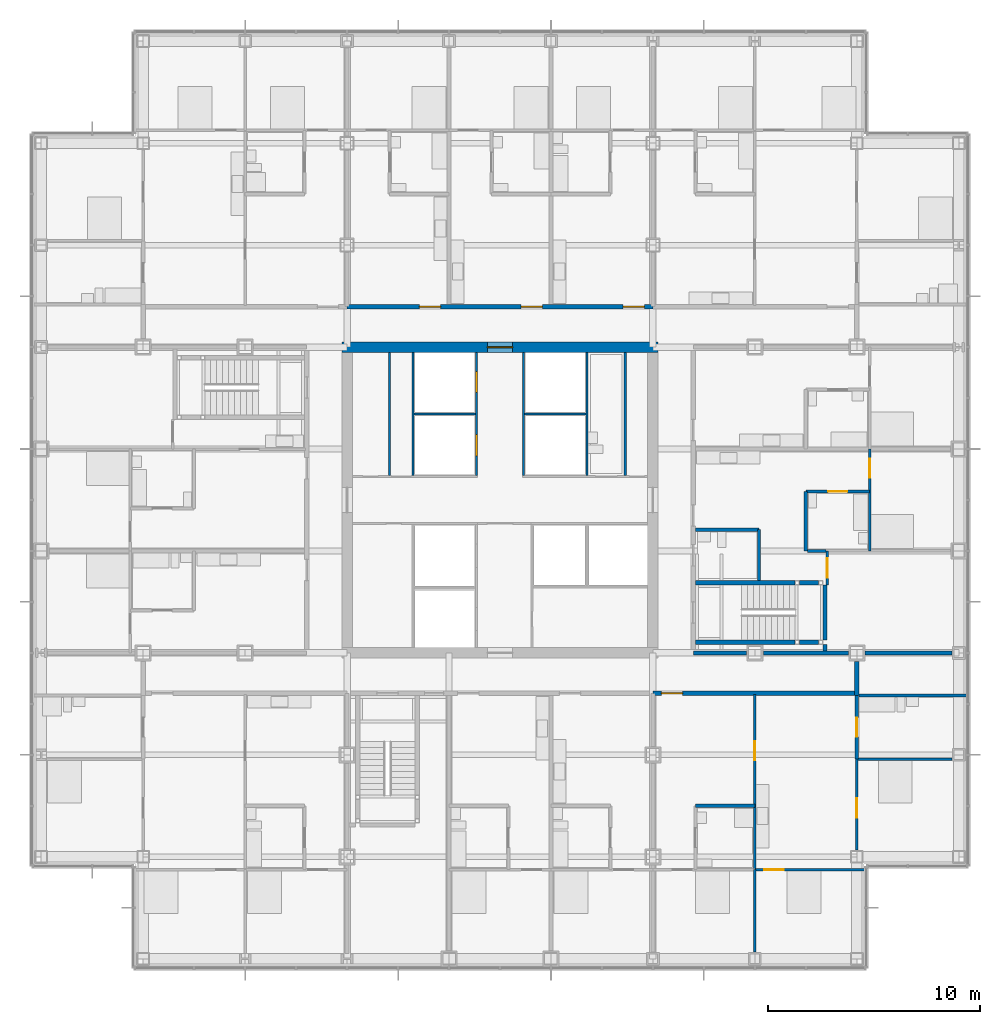
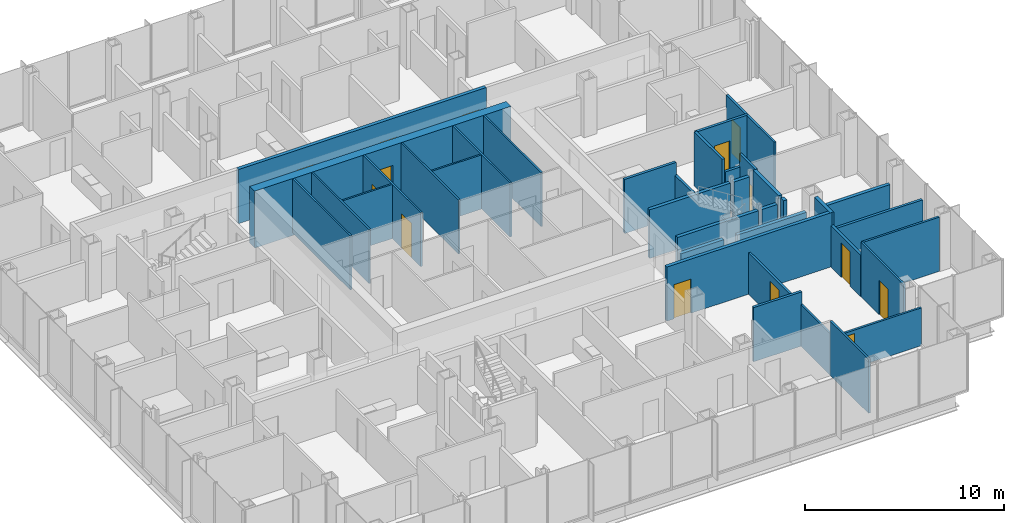
# One storey, part 16 of 21: 36 walls, 14 doors, 14 openings.
"""IFC4 building model written with IfcOpenShell, lengths in metres."""

from ifc_helpers import new_model, si_unit, direction, frame, frame_2d, origin, place, context, subcontext, project, spatial, rectangle, extrude, material, layer, layer_set, type_object, element, fill, save


model = new_model("IFC4")

# Units and contexts
model_context = context("Model", 3, precision=1e-05, world=origin(), true_north=direction((0.0, 1.0)))
body_context = subcontext(model_context, "Body", "Model", "MODEL_VIEW")
ifc_project = project(units=[si_unit("LENGTHUNIT", "METRE"), si_unit("AREAUNIT", "SQUARE_METRE"), si_unit("VOLUMEUNIT", "CUBIC_METRE"), si_unit("PLANEANGLEUNIT", "RADIAN"), si_unit("MASSUNIT", "GRAM", prefix="KILO")], contexts=[model_context])

# Site, building, storey
site_placement = place(None, origin())
site = spatial("IfcSite", under=ifc_project, at=site_placement, CompositionType="ELEMENT")
building_placement = place(site_placement, origin())
building = spatial("IfcBuilding", under=site, at=building_placement, Name="Kvirike Care Tower", CompositionType="ELEMENT")
storey_placement = place(building_placement, frame((0.0, 0.0, 55.0)))
storey = spatial("IfcBuildingStorey", under=building, at=storey_placement, Name="L14", CompositionType="ELEMENT", Elevation=55.0)

# Wall
ifc_material_1 = material(Name="Moisture-resistant board partition", Category="gypsum")
ifc_layer_1 = layer(ifc_material_1, 0.14990234375)
ifc_layer_set_1 = layer_set([ifc_layer_1], Name="BATHROOM WALL 150")
wall_type_1 = type_object("IfcWallType", Name="BATHROOM WALL 150", PredefinedType="PARTITIONING", material=ifc_layer_set_1)
wall_1_placement = place(storey_placement, frame((30.800048828125, 21.60009765625, 0.0), z_axis=(0.0, 0.0, 1.0), x_axis=(1.0, 0.0, 0.0)))
element("IfcWall", 1, at=wall_1_placement, inside=storey, type_object=wall_type_1, Name="Bathroom Wall 150 L14", PredefinedType="PARTITIONING", context=body_context, shape_type="SweptSolid", body=[
    extrude(rectangle(XDim=2.800048828125, YDim=0.14990234375, at=frame_2d((1.39990234375, 0.0))), origin(), (0.0, 0.0, 1.0), 3.330078125),
])

# Wall, opening, door
wall_2_placement = place(storey_placement, frame((38.39990234375, 23.800048828125, 0.0), z_axis=(0.0, 0.0, 1.0), x_axis=(0.0, 1.0, 0.0)))
wall_2 = element("IfcWall", 2, at=wall_2_placement, inside=storey, type_object=wall_type_1, Name="Bathroom Wall 150 L14", PredefinedType="PARTITIONING", context=body_context, shape_type="SweptSolid", body=[
    extrude(rectangle(XDim=3.0, YDim=0.14990234375, at=frame_2d((1.5, 0.0))), origin(), (0.0, 0.0, 1.0), 2.550048828125),
])
opening_1_placement = place(wall_2_placement, frame((1.050048828125, 0.0, 0.0)))
opening_1 = element("IfcOpeningElement", 3, at=opening_1_placement, cuts=wall_2, Name="Opening 14-042", PredefinedType="OPENING", context=body_context, shape_type="SweptSolid", body=[
    extrude(rectangle(XDim=0.89990234375, YDim=2.10009765625, at=frame_2d((0.449951171875, 1.050048828125))), frame((0.0, 0.08544921875, 0.0), z_axis=(0.0, -1.0, 0.0), x_axis=(1.0, 0.0, 0.0)), (0.0, 0.0, 1.0), 0.1708984375),
])
ifc_material_2 = material(Name="Timber door set", Category="wood")
door_type_1 = type_object("IfcDoorType", Name="BATHROOM DOOR 900", OperationType="SINGLE_SWING_RIGHT", PredefinedType="DOOR", material=ifc_material_2)
door_1_placement = place(opening_1_placement, frame((0.89990234375, 0.0, 0.0), z_axis=(0.0, 0.0, 1.0), x_axis=(-1.0, 0.0, 0.0)))
door_1 = element("IfcDoor", 4, at=door_1_placement, inside=storey, type_object=door_type_1, Name="Bathroom door", OperationType="SINGLE_SWING_LEFT", OverallHeight=2.10009765625, OverallWidth=0.89990234375, PredefinedType="DOOR", context=body_context, shape_type="SweptSolid", body=[
    extrude(rectangle(XDim=0.89990234375, YDim=2.10009765625, at=frame_2d((0.449951171875, 1.050048828125))), frame((0.0, 0.02197265625, 0.0), z_axis=(0.0, -1.0, 0.0), x_axis=(1.0, 0.0, 0.0)), (0.0, 0.0, 1.0), 0.0439453125),
])
fill(opening_1, door_1)

# Walls
wall_3_placement = place(storey_placement, frame((33.800048828125, 32.199951171875, 0.0), z_axis=(0.0, 0.0, 1.0), x_axis=(0.0, 1.0, 0.0)))
element("IfcWall", 5, at=wall_3_placement, inside=storey, type_object=wall_type_1, Name="Bathroom Wall 150 L14", PredefinedType="PARTITIONING", context=body_context, shape_type="SweptSolid", body=[
    extrude(rectangle(XDim=2.400146484375, YDim=0.14990234375, at=frame_2d((1.2001953125, 0.0))), origin(), (0.0, 0.0, 1.0), 2.550048828125),
])
wall_4_placement = place(storey_placement, frame((33.800048828125, 34.60009765625, 0.0), z_axis=(0.0, 0.0, 1.0), x_axis=(-1.0, 0.0, 0.0)))
element("IfcWall", 6, at=wall_4_placement, inside=storey, type_object=wall_type_1, Name="Bathroom Wall 150 L14", PredefinedType="PARTITIONING", context=body_context, shape_type="SweptSolid", body=[
    extrude(rectangle(XDim=3.0, YDim=0.14990234375, at=frame_2d((1.5, 0.0))), origin(), (0.0, 0.0, 1.0), 3.330078125),
])

# Wall, opening, door
wall_5_placement = place(storey_placement, frame((39.0, 36.39990234375, 0.0), z_axis=(0.0, 0.0, 1.0), x_axis=(-1.0, 0.0, 0.0)))
wall_5 = element("IfcWall", 7, at=wall_5_placement, inside=storey, type_object=wall_type_1, Name="Bathroom Wall 150 L14", PredefinedType="PARTITIONING", context=body_context, shape_type="SweptSolid", body=[
    extrude(rectangle(XDim=3.0, YDim=0.14990234375, at=frame_2d((1.5, 0.0))), origin(), (0.0, 0.0, 1.0), 3.330078125),
])
opening_2_placement = place(wall_5_placement, frame((1.050048828125, 0.0, 0.0)))
opening_2 = element("IfcOpeningElement", 8, at=opening_2_placement, cuts=wall_5, Name="Opening 14-048", PredefinedType="OPENING", context=body_context, shape_type="SweptSolid", body=[
    extrude(rectangle(XDim=0.89990234375, YDim=2.10009765625, at=frame_2d((0.449951171875, 1.050048828125))), frame((0.0, 0.08544921875, 0.0), z_axis=(0.0, -1.0, 0.0), x_axis=(1.0, 0.0, 0.0)), (0.0, 0.0, 1.0), 0.1708984375),
])
door_2_placement = place(opening_2_placement, origin())
door_2 = element("IfcDoor", 9, at=door_2_placement, inside=storey, type_object=door_type_1, Name="Bathroom door", OperationType="SINGLE_SWING_RIGHT", OverallHeight=2.10009765625, OverallWidth=0.89990234375, PredefinedType="DOOR", context=body_context, shape_type="SweptSolid", body=[
    extrude(rectangle(XDim=0.89990234375, YDim=2.10009765625, at=frame_2d((0.449951171875, 1.050048828125))), frame((0.0, 0.02197265625, 0.0), z_axis=(0.0, -1.0, 0.0), x_axis=(1.0, 0.0, 0.0)), (0.0, 0.0, 1.0), 0.0439453125),
])
fill(opening_2, door_2)

# Walls
wall_6_placement = place(storey_placement, frame((36.0, 33.60009765625, 0.0), z_axis=(0.0, 0.0, 1.0), x_axis=(0.0, 1.0, 0.0)))
element("IfcWall", 10, at=wall_6_placement, inside=storey, type_object=wall_type_1, Name="Bathroom Wall 150 L14", PredefinedType="PARTITIONING", context=body_context, shape_type="SweptSolid", body=[
    extrude(rectangle(XDim=2.7998046875, YDim=0.14990234375, at=frame_2d((1.39990234375, 0.0))), origin(), (0.0, 0.0, 1.0), 3.330078125),
])
wall_7_placement = place(storey_placement, frame((38.5, 26.800048828125, 0.0), z_axis=(0.0, 0.0, 1.0), x_axis=(1.0, 0.0, 0.0)))
element("IfcWall", 11, at=wall_7_placement, inside=storey, type_object=wall_type_1, Name="Bathroom Wall 150 L14", PredefinedType="PARTITIONING", context=body_context, shape_type="SweptSolid", body=[
    extrude(rectangle(XDim=5.1298828125, YDim=0.14990234375, at=frame_2d((2.56494140625, 0.0))), origin(), (0.0, 0.0, 1.0), 2.320068359375),
])
wall_8_placement = place(storey_placement, frame((36.93994140625, 33.60009765625, 0.0), z_axis=(0.0, 0.0, 1.0), x_axis=(-1.0, 0.0, 0.0)))
element("IfcWall", 12, at=wall_8_placement, inside=storey, type_object=wall_type_1, Name="Bathroom Wall 150 L14", PredefinedType="PARTITIONING", context=body_context, shape_type="SweptSolid", body=[
    extrude(rectangle(XDim=0.864990234375, YDim=0.14990234375, at=frame_2d((0.4326171875, 0.0))), origin(), (0.0, 0.0, 1.0), 2.550048828125),
])

# Wall, opening, door
ifc_material_3 = material(Name="Concrete C60/75", Category="concrete")
ifc_layer_2 = layer(ifc_material_3, 0.5)
ifc_layer_set_2 = layer_set([ifc_layer_2], Name="CORE WALL 500 C60-75")
wall_type_2 = type_object("IfcWallType", Name="CORE WALL 500 C60-75", PredefinedType="SHEAR", material=ifc_layer_set_2)
wall_9_placement = place(storey_placement, frame((29.050048828125, 43.199951171875, -0.169921875), z_axis=(0.0, 0.0, 1.0), x_axis=(-1.0, 0.0, 0.0)))
wall_9 = element("IfcWall", 13, at=wall_9_placement, inside=storey, type_object=wall_type_2, Name="Core wall N L14", PredefinedType="SHEAR", context=body_context, shape_type="SweptSolid", body=[
    extrude(rectangle(XDim=14.900146484375, YDim=0.5, at=frame_2d((7.4501953125, 0.0))), origin(), (0.0, 0.0, 1.0), 3.5),
])
opening_3_placement = place(wall_9_placement, frame((6.85009765625, 0.0, 0.169921875)))
opening_3 = element("IfcOpeningElement", 14, at=opening_3_placement, cuts=wall_9, Name="Opening 14-078", PredefinedType="OPENING", context=body_context, shape_type="SweptSolid", body=[
    extrude(rectangle(XDim=1.199951171875, YDim=2.10009765625, at=frame_2d((0.60009765625, 1.050048828125))), frame((0.0, 0.260498046875, 0.0), z_axis=(0.0, -1.0, 0.0), x_axis=(1.0, 0.0, 0.0)), (0.0, 0.0, 1.0), 0.52099609375),
])
ifc_material_4 = material(Name="Timber door set", Category="wood")
door_type_2 = type_object("IfcDoorType", Name="CORE DOOR 1200", OperationType="SINGLE_SWING_LEFT", PredefinedType="DOOR", material=ifc_material_4)
door_3_placement = place(opening_3_placement, origin())
door_3 = element("IfcDoor", 15, at=door_3_placement, inside=storey, type_object=door_type_2, Name="Core door N L14", OperationType="SINGLE_SWING_LEFT", OverallHeight=2.10009765625, OverallWidth=1.199951171875, PredefinedType="DOOR", context=body_context, shape_type="SweptSolid", body=[
    extrude(rectangle(XDim=1.199951171875, YDim=2.10009765625, at=frame_2d((0.60009765625, 1.050048828125))), frame((0.0, 0.02685546875, 0.0), z_axis=(0.0, -1.0, 0.0), x_axis=(1.0, 0.0, 0.0)), (0.0, 0.0, 1.0), 0.053955078125),
])
fill(opening_3, door_3)

# Wall, openings, doors
ifc_material_5 = material(Name="Plasterboard corridor wall", Category="gypsum")
ifc_layer_3 = layer(ifc_material_5, 0.199951171875)
ifc_layer_set_3 = layer_set([ifc_layer_3], Name="CORRIDOR WALL 200")
wall_type_3 = type_object("IfcWallType", Name="CORRIDOR WALL 200", PredefinedType="PARTITIONING", material=ifc_layer_set_3)
wall_10_placement = place(storey_placement, frame((28.800048828125, 45.10009765625, 0.0), z_axis=(0.0, 0.0, 1.0), x_axis=(-1.0, 0.0, 0.0)))
wall_10 = element("IfcWall", 16, at=wall_10_placement, inside=storey, type_object=wall_type_3, Name="Corridor Wall 200 L14", PredefinedType="PARTITIONING", context=body_context, shape_type="SweptSolid", body=[
    extrude(rectangle(XDim=14.400146484375, YDim=0.199951171875, at=frame_2d((7.2001953125, 0.0))), origin(), (0.0, 0.0, 1.0), 3.330078125),
])
opening_4_placement = place(wall_10_placement, frame((0.39990234375, 0.0, 0.0)))
opening_4 = element("IfcOpeningElement", 17, at=opening_4_placement, cuts=wall_10, Name="Opening 14-038", PredefinedType="OPENING", context=body_context, shape_type="SweptSolid", body=[
    extrude(rectangle(XDim=1.0, YDim=2.10009765625, at=frame_2d((0.5, 1.050048828125))), frame((0.0, 0.110595703125, 0.0), z_axis=(0.0, -1.0, 0.0), x_axis=(1.0, 0.0, 0.0)), (0.0, 0.0, 1.0), 0.220947265625),
])
opening_5_placement = place(wall_10_placement, frame((5.199951171875, 0.0, 0.0)))
opening_5 = element("IfcOpeningElement", 18, at=opening_5_placement, cuts=wall_10, Name="Opening 14-039", PredefinedType="OPENING", context=body_context, shape_type="SweptSolid", body=[
    extrude(rectangle(XDim=1.0, YDim=2.10009765625, at=frame_2d((0.5, 1.050048828125))), frame((0.0, 0.110595703125, 0.0), z_axis=(0.0, -1.0, 0.0), x_axis=(1.0, 0.0, 0.0)), (0.0, 0.0, 1.0), 0.220947265625),
])
opening_6_placement = place(wall_10_placement, frame((10.0, 0.0, 0.0)))
opening_6 = element("IfcOpeningElement", 19, at=opening_6_placement, cuts=wall_10, Name="Opening 14-040", PredefinedType="OPENING", context=body_context, shape_type="SweptSolid", body=[
    extrude(rectangle(XDim=1.0, YDim=2.10009765625, at=frame_2d((0.5, 1.050048828125))), frame((0.0, 0.110595703125, 0.0), z_axis=(0.0, -1.0, 0.0), x_axis=(1.0, 0.0, 0.0)), (0.0, 0.0, 1.0), 0.220947265625),
])
ifc_material_6 = material(Name="Timber door set", Category="wood")
door_type_3 = type_object("IfcDoorType", Name="FLAT ENTRANCE DOOR 1000", OperationType="SINGLE_SWING_LEFT", PredefinedType="DOOR", material=ifc_material_6)
door_4_placement = place(opening_4_placement, frame((1.0, 0.0, 0.0), z_axis=(0.0, 0.0, 1.0), x_axis=(-1.0, 0.0, 0.0)))
door_4 = element("IfcDoor", 20, at=door_4_placement, inside=storey, type_object=door_type_3, Name="Studio apartment entrance", OperationType="SINGLE_SWING_LEFT", OverallHeight=2.10009765625, OverallWidth=1.0, PredefinedType="DOOR", context=body_context, shape_type="SweptSolid", body=[
    extrude(rectangle(XDim=1.0, YDim=2.10009765625, at=frame_2d((0.5, 1.050048828125))), frame((0.0, 0.02685546875, 0.0), z_axis=(0.0, -1.0, 0.0), x_axis=(1.0, 0.0, 0.0)), (0.0, 0.0, 1.0), 0.053955078125),
])
fill(opening_4, door_4)
door_5_placement = place(opening_5_placement, frame((1.0, 0.0, 0.0), z_axis=(0.0, 0.0, 1.0), x_axis=(-1.0, 0.0, 0.0)))
door_5 = element("IfcDoor", 21, at=door_5_placement, inside=storey, type_object=door_type_3, Name="Studio apartment entrance", OperationType="SINGLE_SWING_LEFT", OverallHeight=2.10009765625, OverallWidth=1.0, PredefinedType="DOOR", context=body_context, shape_type="SweptSolid", body=[
    extrude(rectangle(XDim=1.0, YDim=2.10009765625, at=frame_2d((0.5, 1.050048828125))), frame((0.0, 0.02685546875, 0.0), z_axis=(0.0, -1.0, 0.0), x_axis=(1.0, 0.0, 0.0)), (0.0, 0.0, 1.0), 0.053955078125),
])
fill(opening_5, door_5)
door_6_placement = place(opening_6_placement, frame((1.0, 0.0, 0.0), z_axis=(0.0, 0.0, 1.0), x_axis=(-1.0, 0.0, 0.0)))
door_6 = element("IfcDoor", 22, at=door_6_placement, inside=storey, type_object=door_type_3, Name="Studio apartment entrance", OperationType="SINGLE_SWING_LEFT", OverallHeight=2.10009765625, OverallWidth=1.0, PredefinedType="DOOR", context=body_context, shape_type="SweptSolid", body=[
    extrude(rectangle(XDim=1.0, YDim=2.10009765625, at=frame_2d((0.5, 1.050048828125))), frame((0.0, 0.02685546875, 0.0), z_axis=(0.0, -1.0, 0.0), x_axis=(1.0, 0.0, 0.0)), (0.0, 0.0, 1.0), 0.053955078125),
])
fill(opening_6, door_6)

# Wall, opening, door
wall_11_placement = place(storey_placement, frame((28.800048828125, 26.89990234375, 0.0), z_axis=(0.0, 0.0, 1.0), x_axis=(1.0, 0.0, 0.0)))
wall_11 = element("IfcWall", 23, at=wall_11_placement, inside=storey, type_object=wall_type_3, Name="Corridor Wall 200 L14", PredefinedType="PARTITIONING", context=body_context, shape_type="SweptSolid", body=[
    extrude(rectangle(XDim=9.599853515625, YDim=0.199951171875, at=frame_2d((4.7998046875, 0.0))), origin(), (0.0, 0.0, 1.0), 3.330078125),
])
opening_7_placement = place(wall_11_placement, frame((0.39990234375, 0.0, 0.0)))
opening_7 = element("IfcOpeningElement", 24, at=opening_7_placement, cuts=wall_11, Name="Opening 14-047", PredefinedType="OPENING", context=body_context, shape_type="SweptSolid", body=[
    extrude(rectangle(XDim=1.0, YDim=2.10009765625, at=frame_2d((0.5, 1.050048828125))), frame((0.0, 0.110595703125, 0.0), z_axis=(0.0, -1.0, 0.0), x_axis=(1.0, 0.0, 0.0)), (0.0, 0.0, 1.0), 0.220947265625),
])
door_7_placement = place(opening_7_placement, frame((1.0, 0.0, 0.0), z_axis=(0.0, 0.0, 1.0), x_axis=(-1.0, 0.0, 0.0)))
door_7 = element("IfcDoor", 25, at=door_7_placement, inside=storey, type_object=door_type_3, Name="Three-bedroom corner apartment entrance", OperationType="SINGLE_SWING_RIGHT", OverallHeight=2.10009765625, OverallWidth=1.0, PredefinedType="DOOR", context=body_context, shape_type="SweptSolid", body=[
    extrude(rectangle(XDim=1.0, YDim=2.10009765625, at=frame_2d((0.5, 1.050048828125))), frame((0.0, 0.02685546875, 0.0), z_axis=(0.0, -1.0, 0.0), x_axis=(1.0, 0.0, 0.0)), (0.0, 0.0, 1.0), 0.053955078125),
])
fill(opening_7, door_7)

# Wall
wall_12_placement = place(storey_placement, frame((38.39990234375, 26.800048828125, 0.0), z_axis=(0.0, 0.0, 1.0), x_axis=(0.0, 1.0, 0.0)))
element("IfcWall", 26, at=wall_12_placement, inside=storey, type_object=wall_type_3, Name="Corridor Wall 200 L14", PredefinedType="PARTITIONING", context=body_context, shape_type="SweptSolid", body=[
    extrude(rectangle(XDim=1.60498046875, YDim=0.199951171875, at=frame_2d((0.802490234375, 0.0))), origin(), (0.0, 0.0, 1.0), 3.330078125),
])

# Wall, opening, door
ifc_material_7 = material(Name="Plasterboard partition", Category="gypsum")
ifc_layer_4 = layer(ifc_material_7, 0.1201171875)
ifc_layer_set_4 = layer_set([ifc_layer_4], Name="PARTITION 120")
wall_type_4 = type_object("IfcWallType", Name="PARTITION 120", PredefinedType="PARTITIONING", material=ifc_layer_set_4)
wall_13_placement = place(storey_placement, frame((33.60009765625, 18.60009765625, 0.0), z_axis=(0.0, 0.0, 1.0), x_axis=(0.0, 1.0, 0.0)))
wall_13 = element("IfcWall", 27, at=wall_13_placement, inside=storey, type_object=wall_type_4, Name="Partition 120 L14", PredefinedType="PARTITIONING", context=body_context, shape_type="SweptSolid", body=[
    extrude(rectangle(XDim=8.25, YDim=0.1201171875, at=frame_2d((4.125, 0.0))), origin(), (0.0, 0.0, 1.0), 2.550048828125),
])
opening_8_placement = place(wall_13_placement, frame((5.14990234375, 0.0, 0.0)))
opening_8 = element("IfcOpeningElement", 28, at=opening_8_placement, cuts=wall_13, Name="Opening 14-043", PredefinedType="OPENING", context=body_context, shape_type="SweptSolid", body=[
    extrude(rectangle(XDim=0.89990234375, YDim=2.10009765625, at=frame_2d((0.449951171875, 1.050048828125))), frame((0.0, 0.070556640625, 0.0), z_axis=(0.0, -1.0, 0.0), x_axis=(1.0, 0.0, 0.0)), (0.0, 0.0, 1.0), 0.14111328125),
])
ifc_material_8 = material(Name="Timber door set", Category="wood")
door_type_4 = type_object("IfcDoorType", Name="INTERNAL DOOR 900", OperationType="SINGLE_SWING_LEFT", PredefinedType="DOOR", material=ifc_material_8)
door_8_placement = place(opening_8_placement, origin())
door_8 = element("IfcDoor", 29, at=door_8_placement, inside=storey, type_object=door_type_4, Name="Hall door", OperationType="SINGLE_SWING_RIGHT", OverallHeight=2.10009765625, OverallWidth=0.89990234375, PredefinedType="DOOR", context=body_context, shape_type="SweptSolid", body=[
    extrude(rectangle(XDim=0.89990234375, YDim=2.10009765625, at=frame_2d((0.449951171875, 1.050048828125))), frame((0.0, 0.02197265625, 0.0), z_axis=(0.0, -1.0, 0.0), x_axis=(1.0, 0.0, 0.0)), (0.0, 0.0, 1.0), 0.0439453125),
])
fill(opening_8, door_8)

wall_14_placement = place(storey_placement, frame((33.60009765625, 18.60009765625, 0.0), z_axis=(0.0, 0.0, 1.0), x_axis=(1.0, 0.0, 0.0)))
wall_14 = element("IfcWall", 30, at=wall_14_placement, inside=storey, type_object=wall_type_4, Name="Partition 120 L14", PredefinedType="PARTITIONING", context=body_context, shape_type="SweptSolid", body=[
    extrude(rectangle(XDim=5.23486328125, YDim=0.1201171875, at=frame_2d((2.617431640625, 0.0))), origin(), (0.0, 0.0, 1.0), 2.320068359375),
])
opening_9_placement = place(wall_14_placement, frame((0.449951171875, 0.0, 0.0)))
opening_9 = element("IfcOpeningElement", 31, at=opening_9_placement, cuts=wall_14, Name="Opening 14-045", PredefinedType="OPENING", context=body_context, shape_type="SweptSolid", body=[
    extrude(rectangle(XDim=0.89990234375, YDim=2.10009765625, at=frame_2d((0.449951171875, 1.050048828125))), frame((0.0, 0.070556640625, 0.0), z_axis=(0.0, -1.0, 0.0), x_axis=(1.0, 0.0, 0.0)), (0.0, 0.0, 1.0), 0.14111328125),
])
door_9_placement = place(opening_9_placement, frame((0.89990234375, 0.0, 0.0), z_axis=(0.0, 0.0, 1.0), x_axis=(-1.0, 0.0, 0.0)))
door_9 = element("IfcDoor", 32, at=door_9_placement, inside=storey, type_object=door_type_4, Name="Apartment bedroom door", OperationType="SINGLE_SWING_LEFT", OverallHeight=2.10009765625, OverallWidth=0.89990234375, PredefinedType="DOOR", context=body_context, shape_type="SweptSolid", body=[
    extrude(rectangle(XDim=0.89990234375, YDim=2.10009765625, at=frame_2d((0.449951171875, 1.050048828125))), frame((0.0, 0.02197265625, 0.0), z_axis=(0.0, -1.0, 0.0), x_axis=(1.0, 0.0, 0.0)), (0.0, 0.0, 1.0), 0.0439453125),
])
fill(opening_9, door_9)

# Walls
wall_15_placement = place(storey_placement, frame((38.39990234375, 23.800048828125, 0.0), z_axis=(0.0, 0.0, 1.0), x_axis=(1.0, 0.0, 0.0)))
element("IfcWall", 33, at=wall_15_placement, inside=storey, type_object=wall_type_4, Name="Partition 120 L14", PredefinedType="PARTITIONING", context=body_context, shape_type="SweptSolid", body=[
    extrude(rectangle(XDim=4.47998046875, YDim=0.1201171875, at=frame_2d((2.239990234375, 0.0))), origin(), (0.0, 0.0, 1.0), 3.330078125),
])
wall_16_placement = place(storey_placement, frame((33.60009765625, 14.719970703125, 0.0), z_axis=(0.0, 0.0, 1.0), x_axis=(0.0, 1.0, 0.0)))
element("IfcWall", 34, at=wall_16_placement, inside=storey, type_object=wall_type_4, Name="Partition 120 L14", PredefinedType="PARTITIONING", context=body_context, shape_type="SweptSolid", body=[
    extrude(rectangle(XDim=3.880126953125, YDim=0.1201171875, at=frame_2d((1.93994140625, 0.0))), origin(), (0.0, 0.0, 1.0), 3.330078125),
])

# Wall, opening, door
wall_17_placement = place(storey_placement, frame((38.39990234375, 19.52001953125, 0.0), z_axis=(0.0, 0.0, 1.0), x_axis=(0.0, 1.0, 0.0)))
wall_17 = element("IfcWall", 35, at=wall_17_placement, inside=storey, type_object=wall_type_4, Name="Partition 120 L14", PredefinedType="PARTITIONING", context=body_context, shape_type="SweptSolid", body=[
    extrude(rectangle(XDim=4.280029296875, YDim=0.1201171875, at=frame_2d((2.14013671875, 0.0))), origin(), (0.0, 0.0, 1.0), 3.330078125),
])
opening_10_placement = place(wall_17_placement, frame((1.530029296875, 0.0, 0.0)))
opening_10 = element("IfcOpeningElement", 36, at=opening_10_placement, cuts=wall_17, Name="Opening 14-046", PredefinedType="OPENING", context=body_context, shape_type="SweptSolid", body=[
    extrude(rectangle(XDim=0.89990234375, YDim=2.10009765625, at=frame_2d((0.449951171875, 1.050048828125))), frame((0.0, 0.070556640625, 0.0), z_axis=(0.0, -1.0, 0.0), x_axis=(1.0, 0.0, 0.0)), (0.0, 0.0, 1.0), 0.14111328125),
])
door_10_placement = place(opening_10_placement, frame((0.89990234375, 0.0, 0.0), z_axis=(0.0, 0.0, 1.0), x_axis=(-1.0, 0.0, 0.0)))
door_10 = element("IfcDoor", 37, at=door_10_placement, inside=storey, type_object=door_type_4, Name="Connecting door", OperationType="SINGLE_SWING_RIGHT", OverallHeight=2.10009765625, OverallWidth=0.89990234375, PredefinedType="DOOR", context=body_context, shape_type="SweptSolid", body=[
    extrude(rectangle(XDim=0.89990234375, YDim=2.10009765625, at=frame_2d((0.449951171875, 1.050048828125))), frame((0.0, 0.02197265625, 0.0), z_axis=(0.0, -1.0, 0.0), x_axis=(1.0, 0.0, 0.0)), (0.0, 0.0, 1.0), 0.0439453125),
])
fill(opening_10, door_10)

wall_18_placement = place(storey_placement, frame((37.0, 32.0, 0.0), z_axis=(0.0, 0.0, 1.0), x_axis=(0.0, 1.0, 0.0)))
wall_18 = element("IfcWall", 38, at=wall_18_placement, inside=storey, type_object=wall_type_4, Name="Partition 120 L14", PredefinedType="PARTITIONING", context=body_context, shape_type="SweptSolid", body=[
    extrude(rectangle(XDim=1.60009765625, YDim=0.1201171875, at=frame_2d((0.800048828125, 0.0))), origin(), (0.0, 0.0, 1.0), 3.330078125),
])
opening_11_placement = place(wall_18_placement, frame((0.35009765625, 0.0, 0.0)))
opening_11 = element("IfcOpeningElement", 39, at=opening_11_placement, cuts=wall_18, Name="Opening 14-049", PredefinedType="OPENING", context=body_context, shape_type="SweptSolid", body=[
    extrude(rectangle(XDim=0.89990234375, YDim=2.10009765625, at=frame_2d((0.449951171875, 1.050048828125))), frame((0.0, 0.070556640625, 0.0), z_axis=(0.0, -1.0, 0.0), x_axis=(1.0, 0.0, 0.0)), (0.0, 0.0, 1.0), 0.14111328125),
])
door_11_placement = place(opening_11_placement, frame((0.89990234375, 0.0, 0.0), z_axis=(0.0, 0.0, 1.0), x_axis=(-1.0, 0.0, 0.0)))
door_11 = element("IfcDoor", 40, at=door_11_placement, inside=storey, type_object=door_type_4, Name="Apartment living room door", OperationType="SINGLE_SWING_RIGHT", OverallHeight=2.10009765625, OverallWidth=0.89990234375, PredefinedType="DOOR", context=body_context, shape_type="SweptSolid", body=[
    extrude(rectangle(XDim=0.89990234375, YDim=2.10009765625, at=frame_2d((0.449951171875, 1.050048828125))), frame((0.0, 0.02197265625, 0.0), z_axis=(0.0, -1.0, 0.0), x_axis=(1.0, 0.0, 0.0)), (0.0, 0.0, 1.0), 0.0439453125),
])
fill(opening_11, door_11)

wall_19_placement = place(storey_placement, frame((39.0, 33.60009765625, 0.0), z_axis=(0.0, 0.0, 1.0), x_axis=(0.0, 1.0, 0.0)))
wall_19 = element("IfcWall", 41, at=wall_19_placement, inside=storey, type_object=wall_type_4, Name="Partition 120 L14", PredefinedType="PARTITIONING", context=body_context, shape_type="SweptSolid", body=[
    extrude(rectangle(XDim=4.7998046875, YDim=0.1201171875, at=frame_2d((2.39990234375, 0.0))), origin(), (0.0, 0.0, 1.0), 3.330078125),
])
opening_12_placement = place(wall_19_placement, frame((3.449951171875, 0.0, 0.0)))
opening_12 = element("IfcOpeningElement", 42, at=opening_12_placement, cuts=wall_19, Name="Opening 14-050", PredefinedType="OPENING", context=body_context, shape_type="SweptSolid", body=[
    extrude(rectangle(XDim=0.89990234375, YDim=2.10009765625, at=frame_2d((0.449951171875, 1.050048828125))), frame((0.0, 0.070556640625, 0.0), z_axis=(0.0, -1.0, 0.0), x_axis=(1.0, 0.0, 0.0)), (0.0, 0.0, 1.0), 0.14111328125),
])
door_12_placement = place(opening_12_placement, frame((0.89990234375, 0.0, 0.0), z_axis=(0.0, 0.0, 1.0), x_axis=(-1.0, 0.0, 0.0)))
door_12 = element("IfcDoor", 43, at=door_12_placement, inside=storey, type_object=door_type_4, Name="Apartment bedroom door", OperationType="SINGLE_SWING_RIGHT", OverallHeight=2.10009765625, OverallWidth=0.89990234375, PredefinedType="DOOR", context=body_context, shape_type="SweptSolid", body=[
    extrude(rectangle(XDim=0.89990234375, YDim=2.10009765625, at=frame_2d((0.449951171875, 1.050048828125))), frame((0.0, 0.02197265625, 0.0), z_axis=(0.0, -1.0, 0.0), x_axis=(1.0, 0.0, 0.0)), (0.0, 0.0, 1.0), 0.0439453125),
])
fill(opening_12, door_12)

# Walls
ifc_material_9 = material(Name="Plasterboard party wall", Category="gypsum")
ifc_layer_5 = layer(ifc_material_9, 0.199951171875)
ifc_layer_set_5 = layer_set([ifc_layer_5], Name="PARTY WALL 200")
wall_type_5 = type_object("IfcWallType", Name="PARTY WALL 200", PredefinedType="PARTITIONING", material=ifc_layer_set_5)
wall_20_placement = place(storey_placement, frame((42.8798828125, 28.800048828125, 0.0), z_axis=(0.0, 0.0, 1.0), x_axis=(-1.0, 0.0, 0.0)))
element("IfcWall", 44, at=wall_20_placement, inside=storey, type_object=wall_type_5, Name="Party Wall 200 L14", PredefinedType="PARTITIONING", context=body_context, shape_type="SweptSolid", body=[
    extrude(rectangle(XDim=4.0849609375, YDim=0.199951171875, at=frame_2d((2.04248046875, 0.0))), origin(), (0.0, 0.0, 1.0), 2.320068359375),
])
wall_21_placement = place(storey_placement, frame((38.0048828125, 28.800048828125, 0.0), z_axis=(0.0, 0.0, 1.0), x_axis=(-1.0, 0.0, 0.0)))
element("IfcWall", 45, at=wall_21_placement, inside=storey, type_object=wall_type_5, Name="Party Wall 200 L14", PredefinedType="PARTITIONING", context=body_context, shape_type="SweptSolid", body=[
    extrude(rectangle(XDim=4.009765625, YDim=0.199951171875, at=frame_2d((2.0048828125, 0.0))), origin(), (0.0, 0.0, 1.0), 2.320068359375),
])
wall_22_placement = place(storey_placement, frame((33.205078125, 28.800048828125, 0.0), z_axis=(0.0, 0.0, 1.0), x_axis=(-1.0, 0.0, 0.0)))
element("IfcWall", 46, at=wall_22_placement, inside=storey, type_object=wall_type_5, Name="Party Wall 200 L14", PredefinedType="PARTITIONING", context=body_context, shape_type="SweptSolid", body=[
    extrude(rectangle(XDim=2.505126953125, YDim=0.199951171875, at=frame_2d((1.25244140625, 0.0))), origin(), (0.0, 0.0, 1.0), 2.320068359375),
])
ifc_material_10 = material(Name="Gypsum shaft wall system", Category="gypsum")
ifc_layer_6 = layer(ifc_material_10, 0.10009765625)
ifc_layer_set_6 = layer_set([ifc_layer_6], Name="SHAFT WALL 100")
wall_type_6 = type_object("IfcWallType", Name="SHAFT WALL 100", PredefinedType="SOLIDWALL", material=ifc_layer_set_6)
for number, where, z_axis, x_axis, name in (
    (47, (16.39990234375, 37.14990234375, 0.0), (0.0, 0.0, 1.0), (0.0, 1.0, 0.0), "Shaft Wall 100 L14"),
    (48, (27.5, 37.14990234375, 0.0), (0.0, 0.0, 1.0), (0.0, 1.0, 0.0), "Shaft Wall 100 L14"),
):
    element("IfcWall", number, at=place(storey_placement, frame(where, z_axis=z_axis, x_axis=x_axis)), inside=storey, type_object=wall_type_6, Name=name, PredefinedType="SOLIDWALL", context=body_context, shape_type="SweptSolid", body=[
        extrude(rectangle(XDim=5.800048828125, YDim=0.10009765625, at=frame_2d((2.89990234375, 0.0))), origin(), (0.0, 0.0, 1.0), 3.330078125),
    ])

# Wall, openings, doors
wall_23_placement = place(storey_placement, frame((20.5, 37.14990234375, 0.0), z_axis=(0.0, 0.0, 1.0), x_axis=(0.0, 1.0, 0.0)))
wall_23 = element("IfcWall", 49, at=wall_23_placement, inside=storey, type_object=wall_type_6, Name="Shaft Wall 100 L14", PredefinedType="SOLIDWALL", context=body_context, shape_type="SweptSolid", body=[
    extrude(rectangle(XDim=5.800048828125, YDim=0.10009765625, at=frame_2d((2.89990234375, 0.0))), origin(), (0.0, 0.0, 1.0), 3.330078125),
])
opening_13_placement = place(wall_23_placement, frame((0.925048828125, 0.0, 0.0)))
opening_13 = element("IfcOpeningElement", 50, at=opening_13_placement, cuts=wall_23, Name="Opening 14-066", PredefinedType="OPENING", context=body_context, shape_type="SweptSolid", body=[
    extrude(rectangle(XDim=1.0, YDim=2.10009765625, at=frame_2d((0.5, 1.050048828125))), frame((0.0, 0.060546875, 0.0), z_axis=(0.0, -1.0, 0.0), x_axis=(1.0, 0.0, 0.0)), (0.0, 0.0, 1.0), 0.12109375),
])
opening_14_placement = place(wall_23_placement, frame((3.89990234375, 0.0, 0.0)))
opening_14 = element("IfcOpeningElement", 51, at=opening_14_placement, cuts=wall_23, Name="Opening 14-067", PredefinedType="OPENING", context=body_context, shape_type="SweptSolid", body=[
    extrude(rectangle(XDim=1.0, YDim=2.10009765625, at=frame_2d((0.5, 1.050048828125))), frame((0.0, 0.060546875, 0.0), z_axis=(0.0, -1.0, 0.0), x_axis=(1.0, 0.0, 0.0)), (0.0, 0.0, 1.0), 0.12109375),
])
ifc_material_11 = material(Name="Aluminium door frame", Category="aluminium")
door_type_5 = type_object("IfcDoorType", Name="LIFT LANDING DOOR 1000", OperationType="SLIDING_TO_LEFT", PredefinedType="DOOR", material=ifc_material_11)
door_13_placement = place(opening_13_placement, origin())
door_13 = element("IfcDoor", 52, at=door_13_placement, inside=storey, type_object=door_type_5, Name="Lift P1 landing door", OperationType="SLIDING_TO_LEFT", OverallHeight=2.10009765625, OverallWidth=1.0, PredefinedType="DOOR", context=body_context, shape_type="SweptSolid", body=[
    extrude(rectangle(XDim=1.0, YDim=2.10009765625, at=frame_2d((0.5, 1.050048828125))), frame((0.0, 0.0498046875, 0.0), z_axis=(0.0, -1.0, 0.0), x_axis=(1.0, 0.0, 0.0)), (0.0, 0.0, 1.0), 0.099609375),
])
fill(opening_13, door_13)
door_14_placement = place(opening_14_placement, origin())
door_14 = element("IfcDoor", 53, at=door_14_placement, inside=storey, type_object=door_type_5, Name="Lift P2 landing door", OperationType="SLIDING_TO_LEFT", OverallHeight=2.10009765625, OverallWidth=1.0, PredefinedType="DOOR", context=body_context, shape_type="SweptSolid", body=[
    extrude(rectangle(XDim=1.0, YDim=2.10009765625, at=frame_2d((0.5, 1.050048828125))), frame((0.0, 0.0498046875, 0.0), z_axis=(0.0, -1.0, 0.0), x_axis=(1.0, 0.0, 0.0)), (0.0, 0.0, 1.0), 0.099609375),
])
fill(opening_14, door_14)

# Walls
for number, where, z_axis, x_axis, name in (
    (54, (22.699951171875, 37.14990234375, 0.0), (0.0, 0.0, 1.0), (0.0, 1.0, 0.0), "Shaft Wall 100 L14"),
    (55, (17.5, 37.14990234375, 0.0), (0.0, 0.0, 1.0), (0.0, 1.0, 0.0), "Shaft Wall 100 L14"),
):
    element("IfcWall", number, at=place(storey_placement, frame(where, z_axis=z_axis, x_axis=x_axis)), inside=storey, type_object=wall_type_6, Name=name, PredefinedType="SOLIDWALL", context=body_context, shape_type="SweptSolid", body=[
        extrude(rectangle(XDim=5.800048828125, YDim=0.10009765625, at=frame_2d((2.89990234375, 0.0))), origin(), (0.0, 0.0, 1.0), 3.330078125),
    ])
for number, where, z_axis, x_axis, name in (
    (56, (17.550048828125, 40.050048828125, 0.0), (0.0, 0.0, 1.0), (1.0, 0.0, 0.0), "Shaft Wall 100 L14"),
    (57, (22.75, 40.050048828125, 0.0), (0.0, 0.0, 1.0), (1.0, 0.0, 0.0), "Shaft Wall 100 L14"),
):
    element("IfcWall", number, at=place(storey_placement, frame(where, z_axis=z_axis, x_axis=x_axis)), inside=storey, type_object=wall_type_6, Name=name, PredefinedType="SOLIDWALL", context=body_context, shape_type="SweptSolid", body=[
        extrude(rectangle(XDim=2.89990234375, YDim=0.10009765625, at=frame_2d((1.449951171875, 0.0))), origin(), (0.0, 0.0, 1.0), 3.330078125),
    ])
wall_24_placement = place(storey_placement, frame((25.699951171875, 37.14990234375, 0.0), z_axis=(0.0, 0.0, 1.0), x_axis=(0.0, 1.0, 0.0)))
element("IfcWall", 58, at=wall_24_placement, inside=storey, type_object=wall_type_6, Name="Shaft Wall 100 L14", PredefinedType="SOLIDWALL", context=body_context, shape_type="SweptSolid", body=[
    extrude(rectangle(XDim=5.800048828125, YDim=0.10009765625, at=frame_2d((2.89990234375, 0.0))), origin(), (0.0, 0.0, 1.0), 3.330078125),
])
ifc_material_12 = material(Name="Concrete C40/50", Category="concrete")
ifc_layer_7 = layer(ifc_material_12, 0.199951171875)
ifc_layer_set_7 = layer_set([ifc_layer_7], Name="STAIR WALL 200")
wall_type_7 = type_object("IfcWallType", Name="STAIR WALL 200", PredefinedType="SOLIDWALL", material=ifc_layer_set_7)
wall_25_placement = place(storey_placement, frame((36.60009765625, 29.300048828125, 0.0), z_axis=(0.0, 0.0, 1.0), x_axis=(-1.0, 0.0, 0.0)))
element("IfcWall", 59, at=wall_25_placement, inside=storey, type_object=wall_type_7, Name="Stair Wall 200 L14", PredefinedType="SOLIDWALL", context=body_context, shape_type="SweptSolid", body=[
    extrude(rectangle(XDim=0.900146484375, YDim=0.199951171875, at=frame_2d((0.4501953125, 0.0))), origin(), (0.0, 0.0, 1.0), 2.989990234375),
])
wall_26_placement = place(storey_placement, frame((35.5, 29.300048828125, 0.0), z_axis=(0.0, 0.0, 1.0), x_axis=(-1.0, 0.0, 0.0)))
element("IfcWall", 60, at=wall_26_placement, inside=storey, type_object=wall_type_7, Name="Stair Wall 200 L14", PredefinedType="SOLIDWALL", context=body_context, shape_type="SweptSolid", body=[
    extrude(rectangle(XDim=4.699951171875, YDim=0.199951171875, at=frame_2d((2.35009765625, 0.0))), origin(), (0.0, 0.0, 1.0), 2.989990234375),
])
wall_27_placement = place(storey_placement, frame((36.60009765625, 32.10009765625, 0.0), z_axis=(0.0, 0.0, 1.0), x_axis=(-1.0, 0.0, 0.0)))
element("IfcWall", 61, at=wall_27_placement, inside=storey, type_object=wall_type_7, Name="Stair Wall 200 L14", PredefinedType="SOLIDWALL", context=body_context, shape_type="SweptSolid", body=[
    extrude(rectangle(XDim=0.900146484375, YDim=0.199951171875, at=frame_2d((0.4501953125, 0.0))), origin(), (0.0, 0.0, 1.0), 2.989990234375),
])
wall_28_placement = place(storey_placement, frame((35.5, 32.10009765625, 0.0), z_axis=(0.0, 0.0, 1.0), x_axis=(-1.0, 0.0, 0.0)))
element("IfcWall", 62, at=wall_28_placement, inside=storey, type_object=wall_type_7, Name="Stair Wall 200 L14", PredefinedType="SOLIDWALL", context=body_context, shape_type="SweptSolid", body=[
    extrude(rectangle(XDim=4.699951171875, YDim=0.199951171875, at=frame_2d((2.35009765625, 0.0))), origin(), (0.0, 0.0, 1.0), 2.989990234375),
])
wall_29_placement = place(storey_placement, frame((36.89990234375, 28.89990234375, 0.0), z_axis=(0.0, 0.0, 1.0), x_axis=(0.0, 1.0, 0.0)))
element("IfcWall", 63, at=wall_29_placement, inside=storey, type_object=wall_type_7, Name="Stair Wall 200 L14", PredefinedType="SOLIDWALL", context=body_context, shape_type="SweptSolid", body=[
    extrude(rectangle(XDim=0.300048828125, YDim=0.199951171875, at=frame_2d((0.14990234375, 0.0))), origin(), (0.0, 0.0, 1.0), 3.330078125),
])
wall_30_placement = place(storey_placement, frame((36.89990234375, 29.39990234375, 0.0), z_axis=(0.0, 0.0, 1.0), x_axis=(0.0, 1.0, 0.0)))
element("IfcWall", 64, at=wall_30_placement, inside=storey, type_object=wall_type_7, Name="Stair Wall 200 L14", PredefinedType="SOLIDWALL", context=body_context, shape_type="SweptSolid", body=[
    extrude(rectangle(XDim=2.60009765625, YDim=0.199951171875, at=frame_2d((1.300048828125, 0.0))), origin(), (0.0, 0.0, 1.0), 3.330078125),
])

save(model, "model.ifc")
